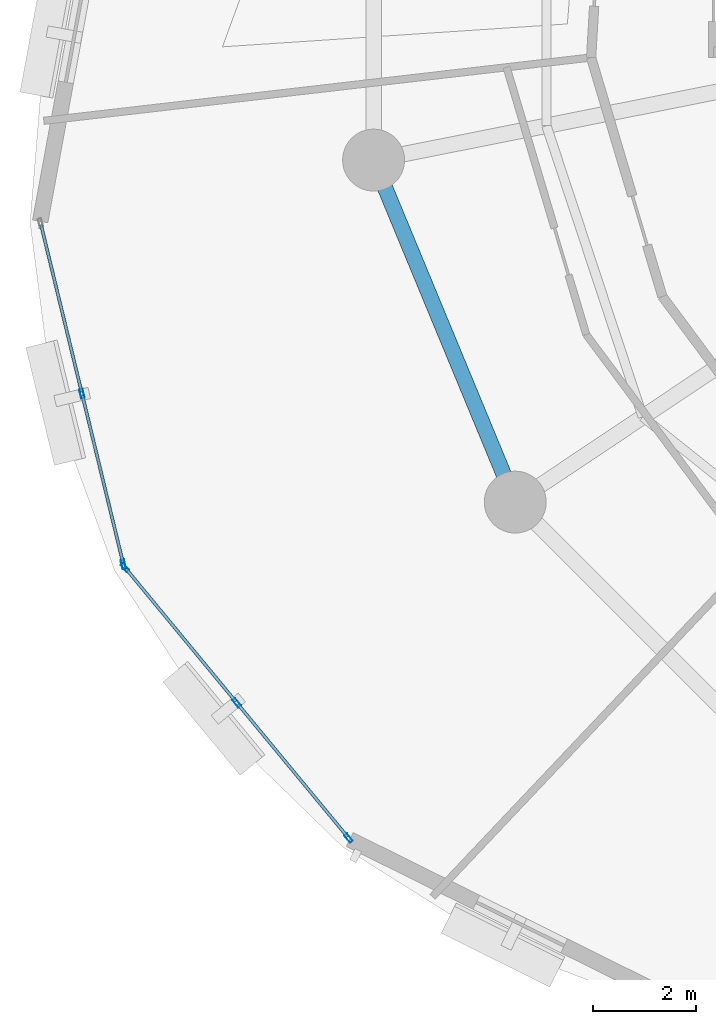
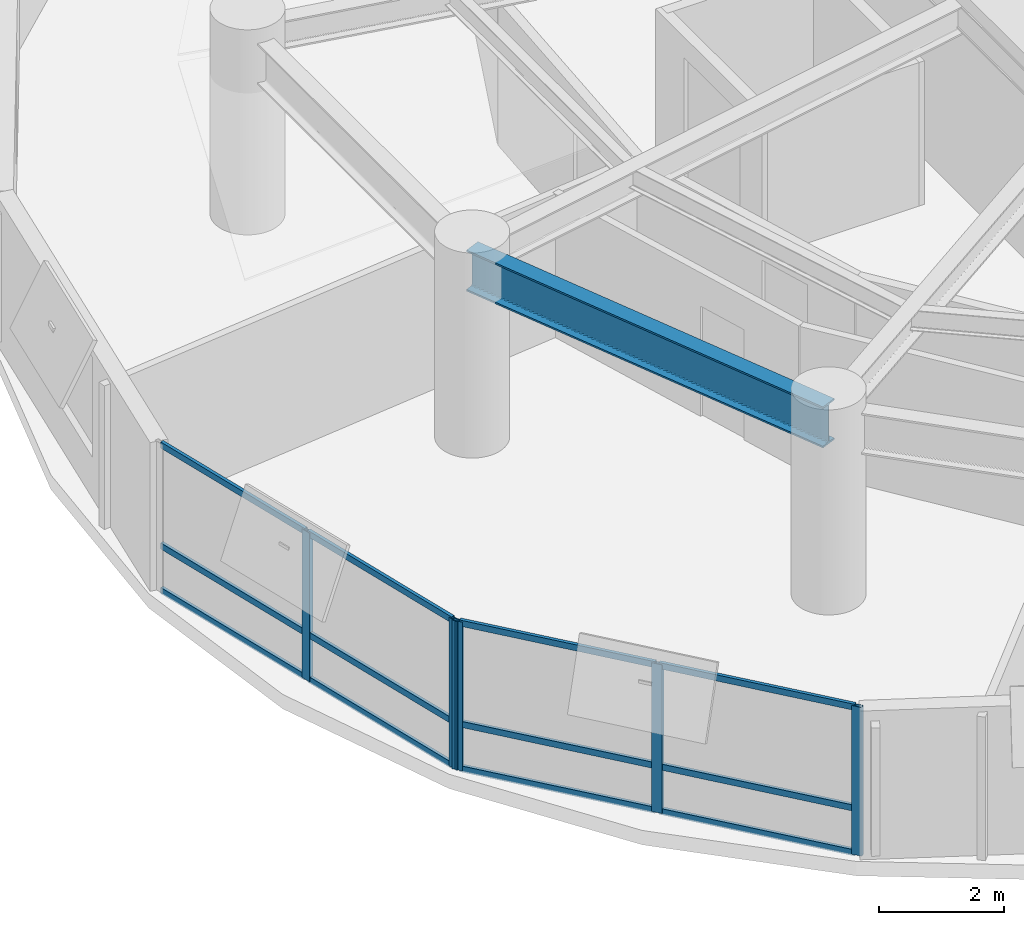
# One storey, part 2 of 14: 17 members, 1 beam, 2 elements without a shape of their own.
"""IFC4 building model written with IfcOpenShell, lengths in metres."""

from ifc_helpers import new_model, si_unit, direction, frame, origin, origin_2d, place, context, subcontext, project, spatial, hollow_rectangle, i_section, extrude, material, layer, layer_set, material_profile, profile_set, type_object, element, aggregate, save


model = new_model("IFC4")

# Units and contexts
model_context = context("Model", 3, precision=1e-05, world=origin(), true_north=direction((0.0, 1.0)))
body_context = subcontext(model_context, "Body", "Model", "MODEL_VIEW")
ifc_project = project(units=[si_unit("LENGTHUNIT", "METRE"), si_unit("AREAUNIT", "SQUARE_METRE"), si_unit("VOLUMEUNIT", "CUBIC_METRE"), si_unit("PLANEANGLEUNIT", "RADIAN"), si_unit("MASSUNIT", "GRAM", prefix="KILO"), si_unit("THERMODYNAMICTEMPERATUREUNIT", "KELVIN"), si_unit("POWERUNIT", "WATT")], contexts=[model_context])

# Site, building, storey
site_placement = place(None, origin())
site = spatial("IfcSite", under=ifc_project, at=site_placement, CompositionType="ELEMENT")
building_placement = place(site_placement, origin())
building = spatial("IfcBuilding", under=site, at=building_placement, Name="Ocrelia Relay Tower", CompositionType="ELEMENT")
storey_placement = place(building_placement, frame((0.0, 0.0, 145.800048828125)))
storey = spatial("IfcBuildingStorey", under=building, at=storey_placement, Name="L34", CompositionType="ELEMENT", Elevation=145.800048828125)

# Beam
ifc_material_1 = material(Name="Steel S355", Category="steel")
ifc_material_profile_1 = material_profile(ifc_material_1, i_section(OverallWidth=0.300048828125, OverallDepth=0.800048828125, WebThickness=0.017578125, FlangeThickness=0.032958984375, FilletRadius=0.030029296875, at=origin_2d()), Name="HEB 800")
ifc_profile_set_1 = profile_set([ifc_material_profile_1], Name="Steel S355")
beam_type = type_object("IfcBeamType", Name="BM-HEB800", PredefinedType="BEAM", material=ifc_profile_set_1)
beam_placement = place(storey_placement, frame((15.95361328125, 22.410400390625, 3.320068359375), z_axis=(0.382673155247, -0.923883789366, 0.0), x_axis=(0.923883789366, 0.382673155247, 0.0)))
element("IfcBeam", 1, at=beam_placement, inside=storey, type_object=beam_type, Name="L34 Perimeter Spandrel Beam S09", PredefinedType="BEAM", context=body_context, shape_type="SweptSolid", body=[
    extrude(i_section(OverallWidth=0.300048828125, OverallDepth=0.800048828125, WebThickness=0.017578125, FlangeThickness=0.032958984375, FilletRadius=0.030029296875, at=origin_2d()), origin(), (0.0, 0.0, 1.0), 7.17919921875),
])

# Curtain wall, members
ifc_material_2 = material(Name="Aluminium and solar-control low-E glass", Category="aluminium")
ifc_layer = layer(ifc_material_2, 0.179931640625, Name="Aluminium and solar-control low-E glass")
ifc_layer_set = layer_set([ifc_layer], Name="Aluminium and solar-control low-E glass")
curtain_wall_type = type_object("IfcCurtainWallType", Name="CW-SYS-Z2-SWIT", PredefinedType="NOTDEFINED", material=ifc_layer_set)
curtain_wall_1_placement = place(storey_placement, origin())
curtain_wall_1 = element("IfcCurtainWall", 2, at=curtain_wall_1_placement, inside=storey, type_object=curtain_wall_type, Name="L34 Elliptical Tower Curtain Wall Bay 09", PredefinedType="NOTDEFINED")
ifc_material_3 = material(Name="Anodised bronze aluminium", Category="aluminium")
ifc_material_profile_2 = material_profile(ifc_material_3, hollow_rectangle(XDim=0.070068359375, YDim=0.179931640625, WallThickness=0.006103515625, at=origin_2d()), Name="CW-MUL-180x70")
ifc_profile_set_2 = profile_set([ifc_material_profile_2], Name="Anodised bronze aluminium")
member_type_1 = type_object("IfcMemberType", Name="CW-SYS-Z2-SWIT-MUL", PredefinedType="MULLION", material=ifc_profile_set_2)
member_1_placement = place(storey_placement, frame((10.299072265625, 17.880126953125, 0.0), z_axis=(0.0, 0.0, 1.0), x_axis=(0.97183275464, 0.235671587189, 0.0)))
member_1 = element("IfcMember", 3, at=member_1_placement, type_object=member_type_1, Name="CW-Z2 mullion 2", PredefinedType="MULLION", context=body_context, shape_type="SweptSolid", body=[
    extrude(hollow_rectangle(XDim=0.070068359375, YDim=0.179931640625, WallThickness=0.006103515625, at=origin_2d()), origin(), (0.0, 0.0, 1.0), 2.89990234375),
])
member_2_placement = place(storey_placement, frame((11.1015625, 14.571533203125, 0.0), z_axis=(0.0, 0.0, 1.0), x_axis=(0.97183275464, 0.235671587189, 0.0)))
member_2 = element("IfcMember", 4, at=member_2_placement, type_object=member_type_1, Name="CW-Z2 mullion 3", PredefinedType="MULLION", context=body_context, shape_type="SweptSolid", body=[
    extrude(hollow_rectangle(XDim=0.070068359375, YDim=0.179931640625, WallThickness=0.006103515625, at=origin_2d()), origin(), (0.0, 0.0, 1.0), 2.89990234375),
])

curtain_wall_2_placement = place(storey_placement, origin())
curtain_wall_2 = element("IfcCurtainWall", 5, at=curtain_wall_2_placement, inside=storey, type_object=curtain_wall_type, Name="L34 Elliptical Tower Curtain Wall Bay 10", PredefinedType="NOTDEFINED")
member_3_placement = place(storey_placement, frame((11.132080078125, 14.510498046875, 0.0), z_axis=(0.0, 0.0, 1.0), x_axis=(0.77085995118, 0.637004659062, 0.0)))
member_3 = element("IfcMember", 6, at=member_3_placement, type_object=member_type_1, Name="CW-Z2 mullion 1", PredefinedType="MULLION", context=body_context, shape_type="SweptSolid", body=[
    extrude(hollow_rectangle(XDim=0.070068359375, YDim=0.179931640625, WallThickness=0.006103515625, at=origin_2d()), origin(), (0.0, 0.0, 1.0), 2.89990234375),
])
member_4_placement = place(storey_placement, frame((13.30078125, 11.885986328125, 0.0), z_axis=(0.0, 0.0, 1.0), x_axis=(0.77085995118, 0.637004659062, 0.0)))
member_4 = element("IfcMember", 7, at=member_4_placement, type_object=member_type_1, Name="CW-Z2 mullion 2", PredefinedType="MULLION", context=body_context, shape_type="SweptSolid", body=[
    extrude(hollow_rectangle(XDim=0.070068359375, YDim=0.179931640625, WallThickness=0.006103515625, at=origin_2d()), origin(), (0.0, 0.0, 1.0), 2.89990234375),
])
member_5_placement = place(storey_placement, frame((15.469482421875, 9.261474609375, 0.0), z_axis=(0.0, 0.0, 1.0), x_axis=(0.77085995118, 0.637004659062, 0.0)))
member_5 = element("IfcMember", 8, at=member_5_placement, type_object=member_type_1, Name="CW-Z2 mullion 3", PredefinedType="MULLION", context=body_context, shape_type="SweptSolid", body=[
    extrude(hollow_rectangle(XDim=0.070068359375, YDim=0.179931640625, WallThickness=0.006103515625, at=origin_2d()), origin(), (0.0, 0.0, 1.0), 2.89990234375),
])

# Member
ifc_material_profile_3 = material_profile(ifc_material_3, hollow_rectangle(XDim=0.06005859375, YDim=0.1201171875, WallThickness=0.0048828125, at=origin_2d()), Name="CW-TRN-120x60")
ifc_profile_set_3 = profile_set([ifc_material_profile_3], Name="Anodised bronze aluminium")
member_type_2 = type_object("IfcMemberType", Name="CW-SYS-Z2-SWIT-TRN", PredefinedType="USERDEFINED", material=ifc_profile_set_3)
member_6_placement = place(storey_placement, frame((9.5048828125, 21.15478515625, 0.030029296875), z_axis=(0.23567336517, -0.971832323474, 0.0), x_axis=(0.971832323474, 0.23567336517, 0.0)))
member_6 = element("IfcMember", 9, at=member_6_placement, type_object=member_type_2, Name="CW-Z2 transom 1.1", ObjectType="TRANSOM", PredefinedType="USERDEFINED", context=body_context, shape_type="SweptSolid", body=[
    extrude(hollow_rectangle(XDim=0.06005859375, YDim=0.1201171875, WallThickness=0.0048828125, at=origin_2d()), origin(), (0.0, 0.0, 1.0), 3.334716796875),
])

member_7_placement = place(storey_placement, frame((9.5048828125, 21.15478515625, 0.89990234375), z_axis=(0.23567336517, -0.971832323474, 0.0), x_axis=(0.971832323474, 0.23567336517, 0.0)))
member_7 = element("IfcMember", 10, at=member_7_placement, type_object=member_type_2, Name="CW-Z2 transom 1.2", ObjectType="TRANSOM", PredefinedType="USERDEFINED", context=body_context, shape_type="SweptSolid", body=[
    extrude(hollow_rectangle(XDim=0.06005859375, YDim=0.1201171875, WallThickness=0.0048828125, at=origin_2d()), origin(), (0.0, 0.0, 1.0), 3.334716796875),
])

member_8_placement = place(storey_placement, frame((9.5048828125, 21.15478515625, 2.869873046875), z_axis=(0.23567336517, -0.971832323474, 0.0), x_axis=(0.971832323474, 0.23567336517, 0.0)))
member_8 = element("IfcMember", 11, at=member_8_placement, type_object=member_type_2, Name="CW-Z2 transom 1.3", ObjectType="TRANSOM", PredefinedType="USERDEFINED", context=body_context, shape_type="SweptSolid", body=[
    extrude(hollow_rectangle(XDim=0.06005859375, YDim=0.1201171875, WallThickness=0.0048828125, at=origin_2d()), origin(), (0.0, 0.0, 1.0), 3.334716796875),
])

member_9_placement = place(storey_placement, frame((10.307373046875, 17.845947265625, 0.030029296875), z_axis=(0.235690134718, -0.971828256636, 0.0), x_axis=(0.971828256636, 0.235690134718, 0.0)))
member_9 = element("IfcMember", 12, at=member_9_placement, type_object=member_type_2, Name="CW-Z2 transom 2.1", ObjectType="TRANSOM", PredefinedType="USERDEFINED", context=body_context, shape_type="SweptSolid", body=[
    extrude(hollow_rectangle(XDim=0.06005859375, YDim=0.1201171875, WallThickness=0.0048828125, at=origin_2d()), origin(), (0.0, 0.0, 1.0), 3.33447265625),
])

member_10_placement = place(storey_placement, frame((10.307373046875, 17.845947265625, 0.89990234375), z_axis=(0.235690134718, -0.971828256636, 0.0), x_axis=(0.971828256636, 0.235690134718, 0.0)))
member_10 = element("IfcMember", 13, at=member_10_placement, type_object=member_type_2, Name="CW-Z2 transom 2.2", ObjectType="TRANSOM", PredefinedType="USERDEFINED", context=body_context, shape_type="SweptSolid", body=[
    extrude(hollow_rectangle(XDim=0.06005859375, YDim=0.1201171875, WallThickness=0.0048828125, at=origin_2d()), origin(), (0.0, 0.0, 1.0), 3.33447265625),
])

member_11_placement = place(storey_placement, frame((10.307373046875, 17.845947265625, 2.869873046875), z_axis=(0.235690134718, -0.971828256636, 0.0), x_axis=(0.971828256636, 0.235690134718, 0.0)))
member_11 = element("IfcMember", 14, at=member_11_placement, type_object=member_type_2, Name="CW-Z2 transom 2.3", ObjectType="TRANSOM", PredefinedType="USERDEFINED", context=body_context, shape_type="SweptSolid", body=[
    extrude(hollow_rectangle(XDim=0.06005859375, YDim=0.1201171875, WallThickness=0.0048828125, at=origin_2d()), origin(), (0.0, 0.0, 1.0), 3.33447265625),
])

aggregate(curtain_wall_1, [member_1, member_2, member_6, member_7, member_8, member_9, member_10, member_11])

member_12_placement = place(storey_placement, frame((11.154296875, 14.4833984375, 0.030029296875), z_axis=(0.637010107093, -0.770855449135, 0.0), x_axis=(0.770855449135, 0.637010107093, 0.0)))
member_12 = element("IfcMember", 15, at=member_12_placement, type_object=member_type_2, Name="CW-Z2 transom 1.1", ObjectType="TRANSOM", PredefinedType="USERDEFINED", context=body_context, shape_type="SweptSolid", body=[
    extrude(hollow_rectangle(XDim=0.06005859375, YDim=0.1201171875, WallThickness=0.0048828125, at=origin_2d()), origin(), (0.0, 0.0, 1.0), 3.33447265625),
])

member_13_placement = place(storey_placement, frame((11.154296875, 14.4833984375, 0.89990234375), z_axis=(0.637010107093, -0.770855449135, 0.0), x_axis=(0.770855449135, 0.637010107093, 0.0)))
member_13 = element("IfcMember", 16, at=member_13_placement, type_object=member_type_2, Name="CW-Z2 transom 1.2", ObjectType="TRANSOM", PredefinedType="USERDEFINED", context=body_context, shape_type="SweptSolid", body=[
    extrude(hollow_rectangle(XDim=0.06005859375, YDim=0.1201171875, WallThickness=0.0048828125, at=origin_2d()), origin(), (0.0, 0.0, 1.0), 3.33447265625),
])

member_14_placement = place(storey_placement, frame((11.154296875, 14.4833984375, 2.869873046875), z_axis=(0.637010107093, -0.770855449135, 0.0), x_axis=(0.770855449135, 0.637010107093, 0.0)))
member_14 = element("IfcMember", 17, at=member_14_placement, type_object=member_type_2, Name="CW-Z2 transom 1.3", ObjectType="TRANSOM", PredefinedType="USERDEFINED", context=body_context, shape_type="SweptSolid", body=[
    extrude(hollow_rectangle(XDim=0.06005859375, YDim=0.1201171875, WallThickness=0.0048828125, at=origin_2d()), origin(), (0.0, 0.0, 1.0), 3.33447265625),
])

member_15_placement = place(storey_placement, frame((13.322998046875, 11.859130859375, 0.030029296875), z_axis=(0.636974154502, -0.770885157787, 0.0), x_axis=(0.770885157787, 0.636974154502, 0.0)))
member_15 = element("IfcMember", 18, at=member_15_placement, type_object=member_type_2, Name="CW-Z2 transom 2.1", ObjectType="TRANSOM", PredefinedType="USERDEFINED", context=body_context, shape_type="SweptSolid", body=[
    extrude(hollow_rectangle(XDim=0.06005859375, YDim=0.1201171875, WallThickness=0.0048828125, at=origin_2d()), origin(), (0.0, 0.0, 1.0), 3.33447265625),
])

member_16_placement = place(storey_placement, frame((13.322998046875, 11.859130859375, 0.89990234375), z_axis=(0.636974154502, -0.770885157787, 0.0), x_axis=(0.770885157787, 0.636974154502, 0.0)))
member_16 = element("IfcMember", 19, at=member_16_placement, type_object=member_type_2, Name="CW-Z2 transom 2.2", ObjectType="TRANSOM", PredefinedType="USERDEFINED", context=body_context, shape_type="SweptSolid", body=[
    extrude(hollow_rectangle(XDim=0.06005859375, YDim=0.1201171875, WallThickness=0.0048828125, at=origin_2d()), origin(), (0.0, 0.0, 1.0), 3.33447265625),
])

member_17_placement = place(storey_placement, frame((13.322998046875, 11.859130859375, 2.869873046875), z_axis=(0.636974154502, -0.770885157787, 0.0), x_axis=(0.770885157787, 0.636974154502, 0.0)))
member_17 = element("IfcMember", 20, at=member_17_placement, type_object=member_type_2, Name="CW-Z2 transom 2.3", ObjectType="TRANSOM", PredefinedType="USERDEFINED", context=body_context, shape_type="SweptSolid", body=[
    extrude(hollow_rectangle(XDim=0.06005859375, YDim=0.1201171875, WallThickness=0.0048828125, at=origin_2d()), origin(), (0.0, 0.0, 1.0), 3.33447265625),
])

aggregate(curtain_wall_2, [member_3, member_4, member_5, member_12, member_13, member_14, member_15, member_16, member_17])

save(model, "model.ifc")
